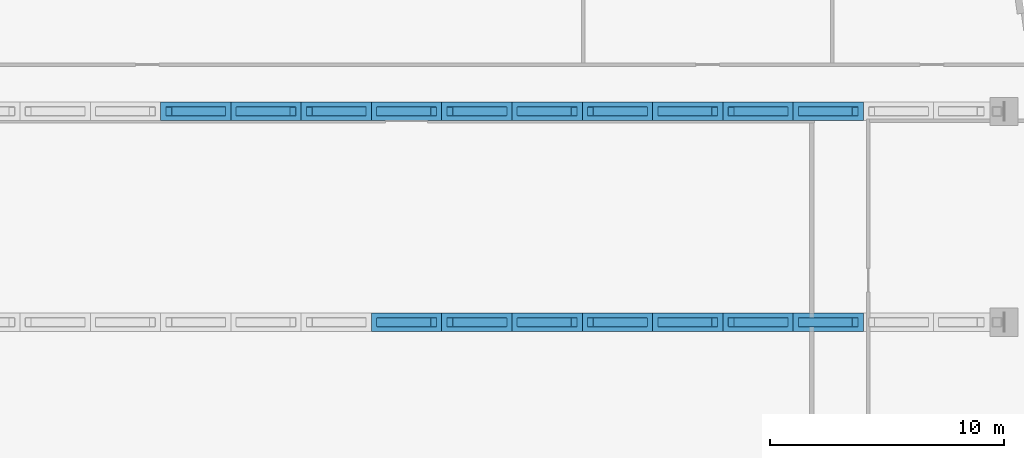
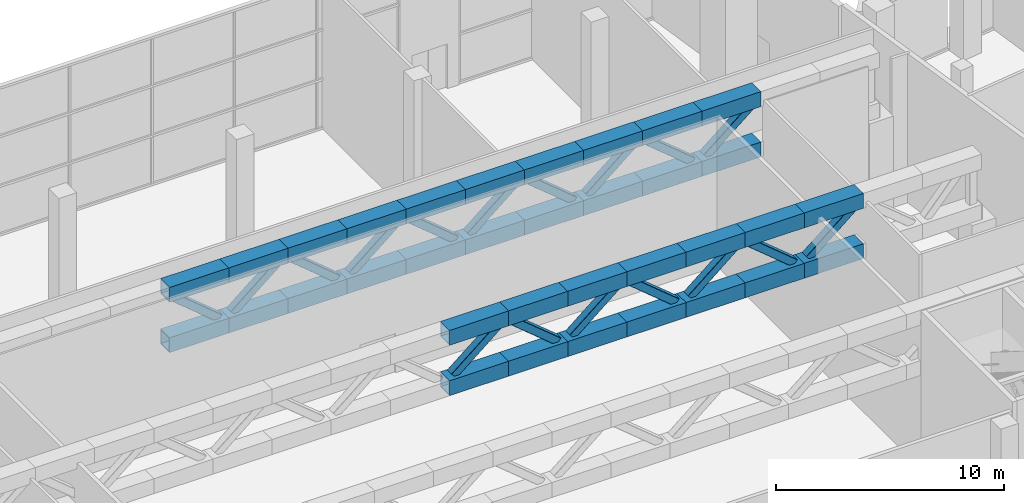
# One storey, part 6 of 31: 51 members.
"""IFC4 building model written with IfcOpenShell, lengths in metres."""

import ifcopenshell
import ifcopenshell.guid

model = None  # the IFC model being written
_history = None  # IfcOwnerHistory: only IFC2X3 demands one
_inside = {}  # id of a spatial element -> (the spatial element, [elements in it])
_under = {}  # id of a project, library or spatial element -> (it, [spatial elements below it])
_declared = {}  # id of a project -> (the project, [libraries it declares])
_typed = {}  # id of a type object -> (the type object, [elements of that type])
_made_of = {}  # id of a material, layer set ... -> (it, [elements and type objects made of it])


def new_model(schema):
    """Start an empty IFC model of exactly this schema.

    Asked for "IFC4X3", IfcOpenShell would pick the latest addendum, in which some entities
    have other attributes; the version numbers below select the first issue.
    IFC2X3 requires an IfcOwnerHistory on every rooted entity: one is made here for all.
    """
    global model, _history
    if schema == "IFC4X3":
        model = ifcopenshell.file(schema_version=(4, 3, 0, 0))
    else:
        model = ifcopenshell.file(schema=schema)
    _inside.clear()
    _under.clear()
    _declared.clear()
    _typed.clear()
    _made_of.clear()
    _history = None
    if model.schema == "IFC2X3":
        org = make("IfcOrganization", Name="unknown")
        user = make(
            "IfcPersonAndOrganization",
            ThePerson=make("IfcPerson", FamilyName="unknown"),
            TheOrganization=org,
        )
        app = make(
            "IfcApplication",
            ApplicationDeveloper=org,
            Version="unknown",
            ApplicationFullName="unknown",
            ApplicationIdentifier="unknown",
        )
        _history = make(
            "IfcOwnerHistory",
            OwningUser=user,
            OwningApplication=app,
            ChangeAction="ADDED",
            CreationDate=0,
        )
    return model


def make(cls, **values):
    """One entity of the class cls with the attributes given. An attribute that is None is left unset."""
    return model.create_entity(
        cls, **{name: value for name, value in values.items() if value is not None}
    )


def rooted(cls, **values):
    """An entity with a GlobalId (a new one), such as an element, a storey or a relation."""
    return make(cls, GlobalId=ifcopenshell.guid.new(), OwnerHistory=_history, **values)


def si_unit(unit_type, name, prefix=None):
    """IfcSIUnit, for example si_unit("LENGTHUNIT", "METRE", prefix="MILLI")."""
    return make("IfcSIUnit", UnitType=unit_type, Prefix=prefix, Name=name)


def assignment(units):
    """IfcUnitAssignment: the units of a project."""
    return None if units is None else make("IfcUnitAssignment", Units=units)


def point(xyz):
    """IfcCartesianPoint."""
    return None if xyz is None else make("IfcCartesianPoint", Coordinates=xyz)


def direction(xyz):
    """IfcDirection."""
    return None if xyz is None else make("IfcDirection", DirectionRatios=xyz)


def frame(location, z_axis=None, x_axis=None):
    """IfcAxis2Placement3D, a coordinate frame: its origin and axes. An axis left out is left unset."""
    return make(
        "IfcAxis2Placement3D",
        Location=point(location),
        Axis=direction(z_axis),
        RefDirection=direction(x_axis),
    )


def frame_2d(location, x_axis=None):
    """IfcAxis2Placement2D, a coordinate frame in the plane: its origin and x axis."""
    return make(
        "IfcAxis2Placement2D", Location=point(location), RefDirection=direction(x_axis)
    )


def origin():
    """The frame at (0, 0, 0) with its axes left unset."""
    return frame((0.0, 0.0, 0.0))


def origin_2d():
    """The frame at (0, 0) in the plane with its x axis left unset."""
    return frame_2d((0.0, 0.0))


def place(relative_to, where):
    """IfcLocalPlacement: puts the frame where relative to a parent placement (None: the world)."""
    return make(
        "IfcLocalPlacement", PlacementRelTo=relative_to, RelativePlacement=where
    )


def context(
    kind, dimensions, precision=None, world=None, true_north=None, identifier=None
):
    """IfcGeometricRepresentationContext, for example the 3D "Model" context."""
    return make(
        "IfcGeometricRepresentationContext",
        ContextIdentifier=identifier,
        ContextType=kind,
        CoordinateSpaceDimension=dimensions,
        Precision=precision,
        WorldCoordinateSystem=world,
        TrueNorth=true_north,
    )


def subcontext(parent, identifier, kind, view, scale=None):
    """IfcGeometricRepresentationSubContext, for example "Body" below "Model"."""
    return make(
        "IfcGeometricRepresentationSubContext",
        ContextIdentifier=identifier,
        ContextType=kind,
        ParentContext=parent,
        TargetScale=scale,
        TargetView=view,
    )


def project(units=None, contexts=None):
    """IfcProject with its units and contexts."""
    return rooted(
        "IfcProject",
        Name="project",
        RepresentationContexts=contexts,
        UnitsInContext=assignment(units),
    )


def spatial(cls, under=None, at=None, **own):
    """A site, building, storey or space (cls), placed at a placement, below another one or the project."""
    s = rooted(cls, ObjectPlacement=at, **own)
    if under is not None:
        _under.setdefault(under.id(), (under, []))[1].append(s)
    return s


def profile(cls, at=None, kind="AREA", **sizes):
    """A parametric profile (cls). Its sizes go by their IFC names, for example OverallWidth=200.0."""
    return make(cls, ProfileType=kind, Position=at, **sizes)


def hollow_rectangle(**sizes):
    """IfcRectangleHollowProfileDef."""
    return profile("IfcRectangleHollowProfileDef", **sizes)


def extrude(swept, where, along, depth):
    """IfcExtrudedAreaSolid: the profile swept, set in the frame where, extruded along a direction by depth."""
    return make(
        "IfcExtrudedAreaSolid",
        SweptArea=swept,
        Position=where,
        ExtrudedDirection=direction(along),
        Depth=depth,
    )


def shape(context_of_items, identifier, shape_type, items):
    """IfcShapeRepresentation: the items that make up one representation, for example the "Body"."""
    return make(
        "IfcShapeRepresentation",
        ContextOfItems=context_of_items,
        RepresentationIdentifier=identifier,
        RepresentationType=shape_type,
        Items=items,
    )


def material(Name=None, Category=None):
    """IfcMaterial."""
    return make("IfcMaterial", Name=Name, Category=Category)


def material_profile(
    of_material, cross_section, Name=None, Category=None, Priority=None
):
    """IfcMaterialProfile: a cross section and its material."""
    return make(
        "IfcMaterialProfile",
        Name=Name,
        Material=of_material,
        Profile=cross_section,
        Priority=Priority,
        Category=Category,
    )


def profile_set(profiles, Name=None, composite=None):
    """IfcMaterialProfileSet."""
    return make(
        "IfcMaterialProfileSet",
        Name=Name,
        MaterialProfiles=profiles,
        CompositeProfile=composite,
    )


def made_of(thing, what):
    """Note that an element or type object is made of a material, layer set ...; save() writes the relation."""
    if what is not None:
        _made_of.setdefault(what.id(), (what, []))[1].append(thing)
    return thing


def type_object(cls, material=None, **own):
    """A type object (cls), such as IfcWallType, which elements share."""
    return made_of(rooted(cls, **own), material)


def element(
    cls,
    number,
    at=None,
    inside=None,
    cuts=None,
    type_object=None,
    material=None,
    context=None,
    identifier="Body",
    shape_type=None,
    held_by="IfcProductDefinitionShape",
    body=None,
    shapes=None,
    **own,
):
    """One element of the class cls, such as IfcWall. Its Tag is "e" and its number.

    at: its placement. inside: the storey or other place that contains it. cuts: it is an
    opening in that element (IfcRelVoidsElement). A single representation is given by context,
    identifier, shape_type and body (its items); several are given by shapes. held_by: the class
    of the entity that holds the representations. save() writes the other relations.
    """
    e = rooted(cls, Tag="e%d" % number, ObjectPlacement=at, **own)
    if body is not None:
        shapes = [shape(context, identifier, shape_type, body)]
    if shapes is not None:
        e.Representation = make(held_by, Representations=shapes)
    if inside is not None:
        _inside.setdefault(inside.id(), (inside, []))[1].append(e)
    if cuts is not None:
        rooted(
            "IfcRelVoidsElement", RelatingBuildingElement=cuts, RelatedOpeningElement=e
        )
    if type_object is not None:
        _typed.setdefault(type_object.id(), (type_object, []))[1].append(e)
    return made_of(e, material)


def aggregate(whole, parts):
    """IfcRelAggregates: a whole, such as a stair, and the parts it consists of."""
    return rooted("IfcRelAggregates", RelatingObject=whole, RelatedObjects=parts)


def save(model, path):
    """Write the relations noted so far, then the file.

    IfcRelAggregates (storeys below a building ...), IfcRelContainedInSpatialStructure (elements
    in a storey), IfcRelDefinesByType, IfcRelAssociatesMaterial and IfcRelDeclares: one each for
    every whole, place, type object, material and project.
    """
    for whole, parts in _under.values():
        aggregate(whole, parts)
    for where, things in _inside.values():
        rooted(
            "IfcRelContainedInSpatialStructure",
            RelatedElements=things,
            RelatingStructure=where,
        )
    for kind, things in _typed.values():
        rooted("IfcRelDefinesByType", RelatedObjects=things, RelatingType=kind)
    for what, things in _made_of.values():
        rooted("IfcRelAssociatesMaterial", RelatedObjects=things, RelatingMaterial=what)
    for by, libraries in _declared.values():
        rooted("IfcRelDeclares", RelatingContext=by, RelatedDefinitions=libraries)
    model.write(path)


model = new_model("IFC4")

# Units and contexts
model_context = context("Model", 3, precision=1e-05, world=origin(), true_north=direction((0.0, 1.0)))
body_context = subcontext(model_context, "Body", "Model", "MODEL_VIEW")
ifc_project = project(units=[si_unit("LENGTHUNIT", "METRE"), si_unit("AREAUNIT", "SQUARE_METRE"), si_unit("VOLUMEUNIT", "CUBIC_METRE"), si_unit("PLANEANGLEUNIT", "RADIAN"), si_unit("MASSUNIT", "GRAM", prefix="KILO")], contexts=[model_context])

# Site, building, storey
site_placement = place(None, origin())
site = spatial("IfcSite", under=ifc_project, at=site_placement, CompositionType="ELEMENT")
building_placement = place(site_placement, origin())
building = spatial("IfcBuilding", under=site, at=building_placement, Name="Mirante Cascada Hotel Towers", CompositionType="ELEMENT")
storey_placement = place(building_placement, frame((0.0, 0.0, 9.0)))
storey = spatial("IfcBuildingStorey", under=building, at=storey_placement, Name="L01", CompositionType="ELEMENT", Elevation=9.0)

# Members
ifc_material_1 = material(Name="ASTM A572 Gr 50", Category="steel")
ifc_material_profile_1 = material_profile(ifc_material_1, hollow_rectangle(XDim=0.8, YDim=0.8, WallThickness=0.05, at=origin_2d()), Name="BOX 800x800x50")
ifc_profile_set_1 = profile_set([ifc_material_profile_1], Name="ASTM A572 Gr 50")
member_type_1 = type_object("IfcMemberType", Name="Truss chord BOX 800x800x50 ASTM A572 Gr 50", PredefinedType="CHORD", material=ifc_profile_set_1)
for number, where, z_axis, x_axis, name in (
    (1, (0.0, 0.0, 8.1), (1.0, 0.0, 0.0), (0.0, 1.0, 0.0), "Transfer truss 2"),
    (2, (0.0, 0.0, 5.4), (1.0, 0.0, 0.0), (0.0, 1.0, 0.0), "Transfer truss 2"),
    (3, (3.0, 0.0, 8.1), (1.0, 0.0, 0.0), (0.0, 1.0, 0.0), "Transfer truss 2"),
    (4, (3.0, 0.0, 5.4), (1.0, 0.0, 0.0), (0.0, 1.0, 0.0), "Transfer truss 2"),
    (5, (6.0, 0.0, 8.1), (1.0, 0.0, 0.0), (0.0, 1.0, 0.0), "Transfer truss 2"),
    (6, (6.0, 0.0, 5.4), (1.0, 0.0, 0.0), (0.0, 1.0, 0.0), "Transfer truss 2"),
    (7, (9.0, 0.0, 8.1), (1.0, 0.0, 0.0), (0.0, 1.0, 0.0), "Transfer truss 2"),
    (8, (9.0, 0.0, 5.4), (1.0, 0.0, 0.0), (0.0, 1.0, 0.0), "Transfer truss 2"),
    (9, (12.0, 0.0, 8.1), (1.0, 0.0, 0.0), (0.0, 1.0, 0.0), "Transfer truss 2"),
    (10, (12.0, 0.0, 5.4), (1.0, 0.0, 0.0), (0.0, 1.0, 0.0), "Transfer truss 2"),
    (11, (15.0, 0.0, 8.1), (1.0, 0.0, 0.0), (0.0, 1.0, 0.0), "Transfer truss 2"),
    (12, (15.0, 0.0, 5.4), (1.0, 0.0, 0.0), (0.0, 1.0, 0.0), "Transfer truss 2"),
    (13, (18.0, 0.0, 8.1), (1.0, 0.0, 0.0), (0.0, 1.0, 0.0), "Transfer truss 2"),
    (14, (18.0, 0.0, 5.4), (1.0, 0.0, 0.0), (0.0, 1.0, 0.0), "Transfer truss 2"),
    (15, (-9.0, 9.0, 8.1), (1.0, 0.0, 0.0), (0.0, 1.0, 0.0), "Transfer truss 3"),
    (16, (-9.0, 9.0, 5.4), (1.0, 0.0, 0.0), (0.0, 1.0, 0.0), "Transfer truss 3"),
    (17, (-6.0, 9.0, 8.1), (1.0, 0.0, 0.0), (0.0, 1.0, 0.0), "Transfer truss 3"),
    (18, (-6.0, 9.0, 5.4), (1.0, 0.0, 0.0), (0.0, 1.0, 0.0), "Transfer truss 3"),
    (19, (-3.0, 9.0, 8.1), (1.0, 0.0, 0.0), (0.0, 1.0, 0.0), "Transfer truss 3"),
    (20, (-3.0, 9.0, 5.4), (1.0, 0.0, 0.0), (0.0, 1.0, 0.0), "Transfer truss 3"),
    (21, (0.0, 9.0, 8.1), (1.0, 0.0, 0.0), (0.0, 1.0, 0.0), "Transfer truss 3"),
    (22, (0.0, 9.0, 5.4), (1.0, 0.0, 0.0), (0.0, 1.0, 0.0), "Transfer truss 3"),
    (23, (3.0, 9.0, 8.1), (1.0, 0.0, 0.0), (0.0, 1.0, 0.0), "Transfer truss 3"),
    (24, (3.0, 9.0, 5.4), (1.0, 0.0, 0.0), (0.0, 1.0, 0.0), "Transfer truss 3"),
    (25, (6.0, 9.0, 8.1), (1.0, 0.0, 0.0), (0.0, 1.0, 0.0), "Transfer truss 3"),
    (26, (6.0, 9.0, 5.4), (1.0, 0.0, 0.0), (0.0, 1.0, 0.0), "Transfer truss 3"),
    (27, (9.0, 9.0, 8.1), (1.0, 0.0, 0.0), (0.0, 1.0, 0.0), "Transfer truss 3"),
    (28, (9.0, 9.0, 5.4), (1.0, 0.0, 0.0), (0.0, 1.0, 0.0), "Transfer truss 3"),
    (29, (12.0, 9.0, 8.1), (1.0, 0.0, 0.0), (0.0, 1.0, 0.0), "Transfer truss 3"),
    (30, (12.0, 9.0, 5.4), (1.0, 0.0, 0.0), (0.0, 1.0, 0.0), "Transfer truss 3"),
    (31, (15.0, 9.0, 8.1), (1.0, 0.0, 0.0), (0.0, 1.0, 0.0), "Transfer truss 3"),
    (32, (15.0, 9.0, 5.4), (1.0, 0.0, 0.0), (0.0, 1.0, 0.0), "Transfer truss 3"),
    (33, (18.0, 9.0, 8.1), (1.0, 0.0, 0.0), (0.0, 1.0, 0.0), "Transfer truss 3"),
    (34, (18.0, 9.0, 5.4), (1.0, 0.0, 0.0), (0.0, 1.0, 0.0), "Transfer truss 3"),
):
    element("IfcMember", number, at=place(storey_placement, frame(where, z_axis=z_axis, x_axis=x_axis)), inside=storey, type_object=member_type_1, Name=name, PredefinedType="CHORD", context=body_context, shape_type="SweptSolid", body=[
        extrude(hollow_rectangle(XDim=0.8, YDim=0.8, WallThickness=0.05, at=origin_2d()), origin(), (0.0, 0.0, 1.0), 3.0),
    ])
ifc_material_2 = material(Name="ASTM A572 Gr 50", Category="steel")
ifc_material_profile_2 = material_profile(ifc_material_2, hollow_rectangle(XDim=0.4, YDim=0.4, WallThickness=0.0159, InnerFilletRadius=0.0159, OuterFilletRadius=0.0318, at=origin_2d()), Name="HSS 400x400x16")
ifc_profile_set_2 = profile_set([ifc_material_profile_2], Name="ASTM A572 Gr 50")
member_type_2 = type_object("IfcMemberType", Name="Truss diagonal HSS 400x400x16 ASTM A572 Gr 50", PredefinedType="BRACE", material=ifc_profile_set_2)
for number, where, z_axis, x_axis, name in (
    (35, (0.35, 0.0, 5.8), (0.7709618, 0.0, 0.6368814), (0.0, 1.0, 0.0), "Transfer truss 2"),
    (36, (3.35, 0.0, 7.7), (0.7709618, 0.0, -0.6368814), (0.0, 1.0, 0.0), "Transfer truss 2"),
    (37, (6.35, 0.0, 5.8), (0.7709618, 0.0, 0.6368814), (0.0, 1.0, 0.0), "Transfer truss 2"),
    (38, (9.35, 0.0, 7.7), (0.7709618, 0.0, -0.6368814), (0.0, 1.0, 0.0), "Transfer truss 2"),
    (39, (12.35, 0.0, 5.8), (0.7709618, 0.0, 0.6368814), (0.0, 1.0, 0.0), "Transfer truss 2"),
    (40, (15.35, 0.0, 7.7), (0.7709618, 0.0, -0.6368814), (0.0, 1.0, 0.0), "Transfer truss 2"),
    (41, (18.35, 0.0, 5.8), (0.7709618, 0.0, 0.6368814), (0.0, 1.0, 0.0), "Transfer truss 2"),
    (42, (-8.65, 9.0, 7.7), (0.7709618, 0.0, -0.6368814), (0.0, 1.0, 0.0), "Transfer truss 3"),
    (43, (-5.65, 9.0, 5.8), (0.7709618, 0.0, 0.6368814), (0.0, 1.0, 0.0), "Transfer truss 3"),
    (44, (-2.65, 9.0, 7.7), (0.7709618, 0.0, -0.6368814), (0.0, 1.0, 0.0), "Transfer truss 3"),
    (45, (0.35, 9.0, 5.8), (0.7709618, 0.0, 0.6368814), (0.0, 1.0, 0.0), "Transfer truss 3"),
    (46, (3.35, 9.0, 7.7), (0.7709618, 0.0, -0.6368814), (0.0, 1.0, 0.0), "Transfer truss 3"),
    (47, (6.35, 9.0, 5.8), (0.7709618, 0.0, 0.6368814), (0.0, 1.0, 0.0), "Transfer truss 3"),
    (48, (9.35, 9.0, 7.7), (0.7709618, 0.0, -0.6368814), (0.0, 1.0, 0.0), "Transfer truss 3"),
    (49, (12.35, 9.0, 5.8), (0.7709618, 0.0, 0.6368814), (0.0, 1.0, 0.0), "Transfer truss 3"),
    (50, (15.35, 9.0, 7.7), (0.7709618, 0.0, -0.6368814), (0.0, 1.0, 0.0), "Transfer truss 3"),
    (51, (18.35, 9.0, 5.8), (0.7709618, 0.0, 0.6368814), (0.0, 1.0, 0.0), "Transfer truss 3"),
):
    element("IfcMember", number, at=place(storey_placement, frame(where, z_axis=z_axis, x_axis=x_axis)), inside=storey, type_object=member_type_2, Name=name, PredefinedType="BRACE", context=body_context, shape_type="SweptSolid", body=[
        extrude(hollow_rectangle(XDim=0.4, YDim=0.4, WallThickness=0.0159, InnerFilletRadius=0.0159, OuterFilletRadius=0.0318, at=origin_2d()), origin(), (0.0, 0.0, 1.0), 2.9833),
    ])

save(model, "model.ifc")
